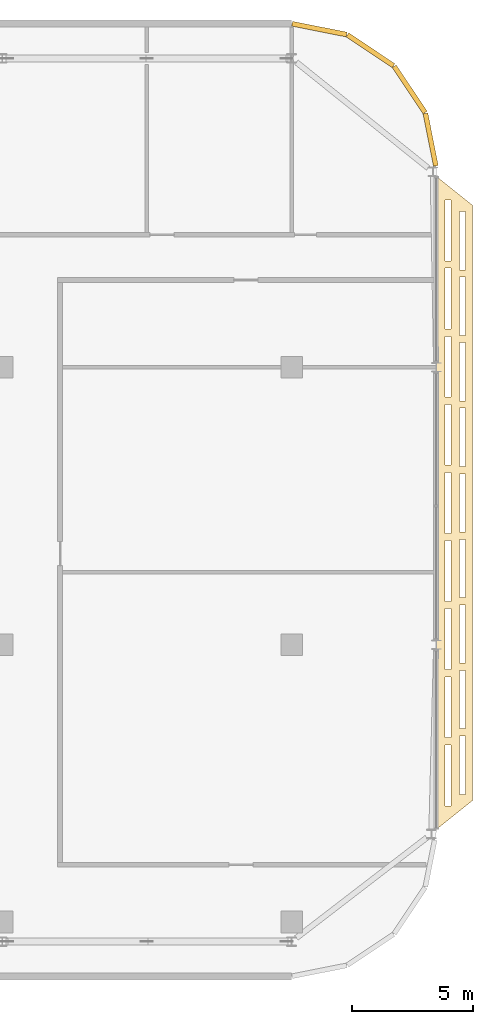
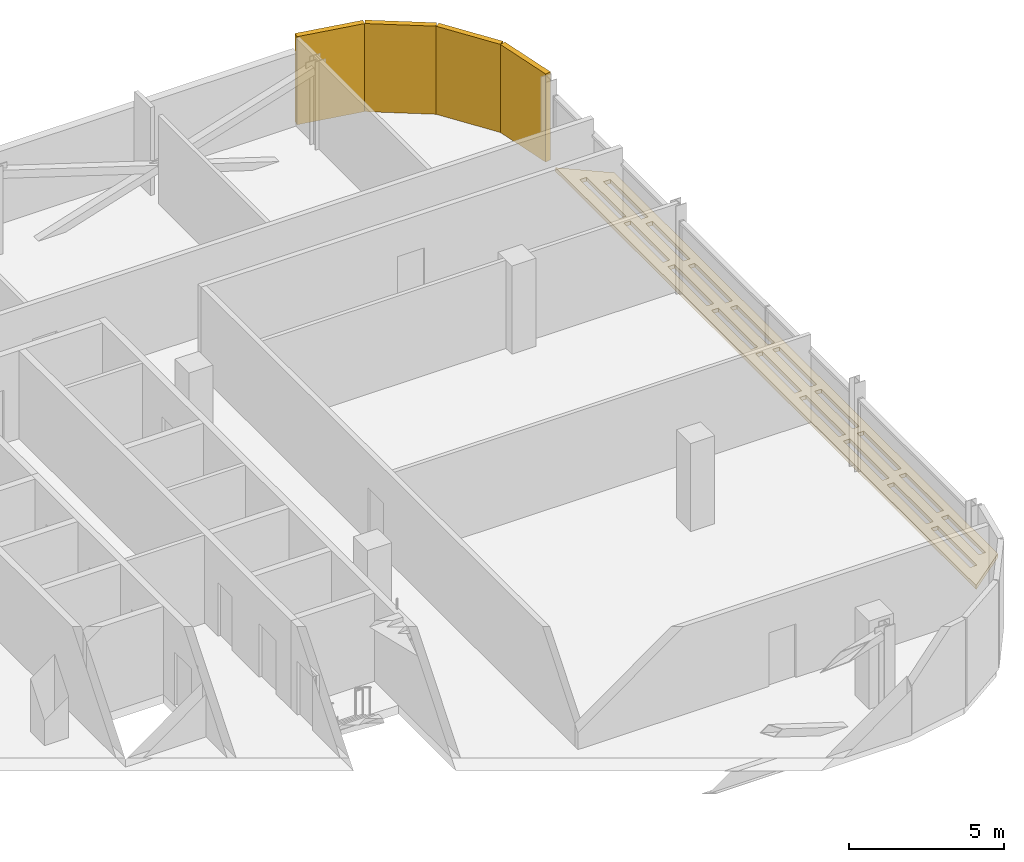
# One storey, part 28 of 28: 5 coverings.
"""IFC4 building model written with IfcOpenShell, lengths in metres."""

import ifcopenshell
import ifcopenshell.guid

model = None  # the IFC model being written
_history = None  # IfcOwnerHistory: only IFC2X3 demands one
_inside = {}  # id of a spatial element -> (the spatial element, [elements in it])
_under = {}  # id of a project, library or spatial element -> (it, [spatial elements below it])
_declared = {}  # id of a project -> (the project, [libraries it declares])
_typed = {}  # id of a type object -> (the type object, [elements of that type])
_made_of = {}  # id of a material, layer set ... -> (it, [elements and type objects made of it])


def new_model(schema):
    """Start an empty IFC model of exactly this schema.

    Asked for "IFC4X3", IfcOpenShell would pick the latest addendum, in which some entities
    have other attributes; the version numbers below select the first issue.
    IFC2X3 requires an IfcOwnerHistory on every rooted entity: one is made here for all.
    """
    global model, _history
    if schema == "IFC4X3":
        model = ifcopenshell.file(schema_version=(4, 3, 0, 0))
    else:
        model = ifcopenshell.file(schema=schema)
    _inside.clear()
    _under.clear()
    _declared.clear()
    _typed.clear()
    _made_of.clear()
    _history = None
    if model.schema == "IFC2X3":
        org = make("IfcOrganization", Name="unknown")
        user = make(
            "IfcPersonAndOrganization",
            ThePerson=make("IfcPerson", FamilyName="unknown"),
            TheOrganization=org,
        )
        app = make(
            "IfcApplication",
            ApplicationDeveloper=org,
            Version="unknown",
            ApplicationFullName="unknown",
            ApplicationIdentifier="unknown",
        )
        _history = make(
            "IfcOwnerHistory",
            OwningUser=user,
            OwningApplication=app,
            ChangeAction="ADDED",
            CreationDate=0,
        )
    return model


def make(cls, **values):
    """One entity of the class cls with the attributes given. An attribute that is None is left unset."""
    return model.create_entity(
        cls, **{name: value for name, value in values.items() if value is not None}
    )


def rooted(cls, **values):
    """An entity with a GlobalId (a new one), such as an element, a storey or a relation."""
    return make(cls, GlobalId=ifcopenshell.guid.new(), OwnerHistory=_history, **values)


def si_unit(unit_type, name, prefix=None):
    """IfcSIUnit, for example si_unit("LENGTHUNIT", "METRE", prefix="MILLI")."""
    return make("IfcSIUnit", UnitType=unit_type, Prefix=prefix, Name=name)


def assignment(units):
    """IfcUnitAssignment: the units of a project."""
    return None if units is None else make("IfcUnitAssignment", Units=units)


def point(xyz):
    """IfcCartesianPoint."""
    return None if xyz is None else make("IfcCartesianPoint", Coordinates=xyz)


def direction(xyz):
    """IfcDirection."""
    return None if xyz is None else make("IfcDirection", DirectionRatios=xyz)


def frame(location, z_axis=None, x_axis=None):
    """IfcAxis2Placement3D, a coordinate frame: its origin and axes. An axis left out is left unset."""
    return make(
        "IfcAxis2Placement3D",
        Location=point(location),
        Axis=direction(z_axis),
        RefDirection=direction(x_axis),
    )


def frame_2d(location, x_axis=None):
    """IfcAxis2Placement2D, a coordinate frame in the plane: its origin and x axis."""
    return make(
        "IfcAxis2Placement2D", Location=point(location), RefDirection=direction(x_axis)
    )


def origin():
    """The frame at (0, 0, 0) with its axes left unset."""
    return frame((0.0, 0.0, 0.0))


def origin_2d():
    """The frame at (0, 0) in the plane with its x axis left unset."""
    return frame_2d((0.0, 0.0))


def place(relative_to, where):
    """IfcLocalPlacement: puts the frame where relative to a parent placement (None: the world)."""
    return make(
        "IfcLocalPlacement", PlacementRelTo=relative_to, RelativePlacement=where
    )


def context(
    kind, dimensions, precision=None, world=None, true_north=None, identifier=None
):
    """IfcGeometricRepresentationContext, for example the 3D "Model" context."""
    return make(
        "IfcGeometricRepresentationContext",
        ContextIdentifier=identifier,
        ContextType=kind,
        CoordinateSpaceDimension=dimensions,
        Precision=precision,
        WorldCoordinateSystem=world,
        TrueNorth=true_north,
    )


def subcontext(parent, identifier, kind, view, scale=None):
    """IfcGeometricRepresentationSubContext, for example "Body" below "Model"."""
    return make(
        "IfcGeometricRepresentationSubContext",
        ContextIdentifier=identifier,
        ContextType=kind,
        ParentContext=parent,
        TargetScale=scale,
        TargetView=view,
    )


def project(units=None, contexts=None):
    """IfcProject with its units and contexts."""
    return rooted(
        "IfcProject",
        Name="project",
        RepresentationContexts=contexts,
        UnitsInContext=assignment(units),
    )


def spatial(cls, under=None, at=None, **own):
    """A site, building, storey or space (cls), placed at a placement, below another one or the project."""
    s = rooted(cls, ObjectPlacement=at, **own)
    if under is not None:
        _under.setdefault(under.id(), (under, []))[1].append(s)
    return s


def polyline(points):
    """IfcPolyline through the points."""
    return make("IfcPolyline", Points=[point(p) for p in points])


def profile(cls, at=None, kind="AREA", **sizes):
    """A parametric profile (cls). Its sizes go by their IFC names, for example OverallWidth=200.0."""
    return make(cls, ProfileType=kind, Position=at, **sizes)


def rectangle(**sizes):
    """IfcRectangleProfileDef."""
    return profile("IfcRectangleProfileDef", **sizes)


def outline(outer, holes=None, kind="AREA"):
    """IfcArbitraryClosedProfileDef: a profile drawn as a closed curve; with holes, ...WithVoids."""
    if holes is None:
        return make("IfcArbitraryClosedProfileDef", ProfileType=kind, OuterCurve=outer)
    return make(
        "IfcArbitraryProfileDefWithVoids",
        ProfileType=kind,
        OuterCurve=outer,
        InnerCurves=holes,
    )


def extrude(swept, where, along, depth):
    """IfcExtrudedAreaSolid: the profile swept, set in the frame where, extruded along a direction by depth."""
    return make(
        "IfcExtrudedAreaSolid",
        SweptArea=swept,
        Position=where,
        ExtrudedDirection=direction(along),
        Depth=depth,
    )


def shape(context_of_items, identifier, shape_type, items):
    """IfcShapeRepresentation: the items that make up one representation, for example the "Body"."""
    return make(
        "IfcShapeRepresentation",
        ContextOfItems=context_of_items,
        RepresentationIdentifier=identifier,
        RepresentationType=shape_type,
        Items=items,
    )


def material(Name=None, Category=None):
    """IfcMaterial."""
    return make("IfcMaterial", Name=Name, Category=Category)


def layer(
    of_material, thickness, ventilated=None, Name=None, Category=None, Priority=None
):
    """IfcMaterialLayer: one layer of a wall or slab, of a material (None: an air gap)."""
    return make(
        "IfcMaterialLayer",
        Material=of_material,
        LayerThickness=thickness,
        IsVentilated=ventilated,
        Name=Name,
        Category=Category,
        Priority=Priority,
    )


def layer_set(layers, Name=None):
    """IfcMaterialLayerSet."""
    return make("IfcMaterialLayerSet", MaterialLayers=layers, LayerSetName=Name)


def made_of(thing, what):
    """Note that an element or type object is made of a material, layer set ...; save() writes the relation."""
    if what is not None:
        _made_of.setdefault(what.id(), (what, []))[1].append(thing)
    return thing


def type_object(cls, material=None, **own):
    """A type object (cls), such as IfcWallType, which elements share."""
    return made_of(rooted(cls, **own), material)


def element(
    cls,
    number,
    at=None,
    inside=None,
    cuts=None,
    type_object=None,
    material=None,
    context=None,
    identifier="Body",
    shape_type=None,
    held_by="IfcProductDefinitionShape",
    body=None,
    shapes=None,
    **own,
):
    """One element of the class cls, such as IfcWall. Its Tag is "e" and its number.

    at: its placement. inside: the storey or other place that contains it. cuts: it is an
    opening in that element (IfcRelVoidsElement). A single representation is given by context,
    identifier, shape_type and body (its items); several are given by shapes. held_by: the class
    of the entity that holds the representations. save() writes the other relations.
    """
    e = rooted(cls, Tag="e%d" % number, ObjectPlacement=at, **own)
    if body is not None:
        shapes = [shape(context, identifier, shape_type, body)]
    if shapes is not None:
        e.Representation = make(held_by, Representations=shapes)
    if inside is not None:
        _inside.setdefault(inside.id(), (inside, []))[1].append(e)
    if cuts is not None:
        rooted(
            "IfcRelVoidsElement", RelatingBuildingElement=cuts, RelatedOpeningElement=e
        )
    if type_object is not None:
        _typed.setdefault(type_object.id(), (type_object, []))[1].append(e)
    return made_of(e, material)


def aggregate(whole, parts):
    """IfcRelAggregates: a whole, such as a stair, and the parts it consists of."""
    return rooted("IfcRelAggregates", RelatingObject=whole, RelatedObjects=parts)


def save(model, path):
    """Write the relations noted so far, then the file.

    IfcRelAggregates (storeys below a building ...), IfcRelContainedInSpatialStructure (elements
    in a storey), IfcRelDefinesByType, IfcRelAssociatesMaterial and IfcRelDeclares: one each for
    every whole, place, type object, material and project.
    """
    for whole, parts in _under.values():
        aggregate(whole, parts)
    for where, things in _inside.values():
        rooted(
            "IfcRelContainedInSpatialStructure",
            RelatedElements=things,
            RelatingStructure=where,
        )
    for kind, things in _typed.values():
        rooted("IfcRelDefinesByType", RelatedObjects=things, RelatingType=kind)
    for what, things in _made_of.values():
        rooted("IfcRelAssociatesMaterial", RelatedObjects=things, RelatingMaterial=what)
    for by, libraries in _declared.values():
        rooted("IfcRelDeclares", RelatingContext=by, RelatedDefinitions=libraries)
    model.write(path)


model = new_model("IFC4")

# Units and contexts
model_context = context("Model", 3, precision=1e-05, world=origin(), true_north=direction((0.0, 1.0)))
body_context = subcontext(model_context, "Body", "Model", "MODEL_VIEW")
ifc_project = project(units=[si_unit("LENGTHUNIT", "METRE"), si_unit("AREAUNIT", "SQUARE_METRE"), si_unit("VOLUMEUNIT", "CUBIC_METRE"), si_unit("PLANEANGLEUNIT", "RADIAN"), si_unit("MASSUNIT", "GRAM", prefix="KILO")], contexts=[model_context])

# Site, building, storey
site_placement = place(None, origin())
site = spatial("IfcSite", under=ifc_project, at=site_placement, CompositionType="ELEMENT")
building_placement = place(site_placement, origin())
building = spatial("IfcBuilding", under=site, at=building_placement, Name="Mahtab Terrace Research Tower", CompositionType="ELEMENT")
storey_placement = place(building_placement, frame((0.0, 0.0, 267.10009765625)))
storey = spatial("IfcBuildingStorey", under=building, at=storey_placement, Name="L65", CompositionType="ELEMENT", Elevation=267.10009765625)

# Coverings
ifc_material_1 = material(Name="Black aluminium cladding panel", Category="aluminium")
ifc_layer_1 = layer(ifc_material_1, 0.199951171875)
ifc_layer_set_1 = layer_set([ifc_layer_1], Name="Black metal corner cladding 200")
covering_type_1 = type_object("IfcCoveringType", Name="Black metal corner cladding 200", PredefinedType="CLADDING", material=ifc_layer_set_1)
for number, where, z_axis, x_axis, name in (
    (1, (46.89306640625, 23.0205078125, 0.0), (0.0, 0.0, 1.0), (-0.555291490808, 0.831655794326, 0.0), "Corner cladding L65 0"),
    (2, (45.26953125, 24.64404296875, 0.0), (0.0, 0.0, 1.0), (-0.831655794326, 0.555291490808, 0.0), "Corner cladding L65 1"),
    (3, (43.14794921875, 25.5224609375, 0.0), (0.0, 0.0, 1.0), (-0.980760981187, 0.195212442692, 0.0), "Corner cladding L65 2"),
):
    element("IfcCovering", number, at=place(storey_placement, frame(where, z_axis=z_axis, x_axis=x_axis)), inside=storey, type_object=covering_type_1, Name=name, PredefinedType="CLADDING", context=body_context, shape_type="SweptSolid", body=[
        extrude(rectangle(XDim=2.30126953125, YDim=0.199951171875, at=origin_2d()), origin(), (0.0, 0.0, 1.0), 3.4599609375),
    ])
covering_1_placement = place(storey_placement, frame((47.76318359375, 20.941162109375, 0.0), z_axis=(0.0, 0.0, 1.0), x_axis=(-0.195212442692, 0.980760981187, 0.0)))
element("IfcCovering", 4, at=covering_1_placement, inside=storey, type_object=covering_type_1, Name="Corner cladding L65 23", PredefinedType="CLADDING", context=body_context, shape_type="SweptSolid", body=[
    extrude(rectangle(XDim=2.21533203125, YDim=0.199951171875, at=origin_2d()), origin(), (0.0, 0.0, 1.0), 3.4599609375),
])
ifc_material_2 = material(Name="Black anodised aluminium", Category="aluminium")
ifc_layer_2 = layer(ifc_material_2, 0.14990234375)
ifc_layer_set_2 = layer_set([ifc_layer_2], Name="Horizontal sunshade band")
covering_type_2 = type_object("IfcCoveringType", Name="Horizontal sunshade band", PredefinedType="CLADDING", material=ifc_layer_set_2)
covering_2_placement = place(storey_placement, frame((0.0, 0.0, -0.150146484375)))
element("IfcCovering", 5, at=covering_2_placement, inside=storey, type_object=covering_type_2, Name="Sunshade band L65 20", PredefinedType="CLADDING", context=body_context, shape_type="SweptSolid", body=[
    extrude(outline(polyline([(48.0, -7.659912109375), (48.0, 19.4169921875), (49.5, 18.217041015625), (49.5, -6.4599609375), (48.0, -7.659912109375)]), holes=[polyline([(48.35009765625, -6.679931640625), (48.35009765625, -4.156005859375), (48.60009765625, -4.156005859375), (48.60009765625, -6.679931640625), (48.35009765625, -6.679931640625)]), polyline([(48.35009765625, -3.85595703125), (48.35009765625, -1.33203125), (48.60009765625, -1.33203125), (48.60009765625, -3.85595703125), (48.35009765625, -3.85595703125)]), polyline([(48.35009765625, -1.031982421875), (48.35009765625, 1.491943359375), (48.60009765625, 1.491943359375), (48.60009765625, -1.031982421875), (48.35009765625, -1.031982421875)]), polyline([(48.35009765625, 1.7919921875), (48.35009765625, 4.31591796875), (48.60009765625, 4.31591796875), (48.60009765625, 1.7919921875), (48.35009765625, 1.7919921875)]), polyline([(48.35009765625, 4.615966796875), (48.35009765625, 7.14111328125), (48.60009765625, 7.14111328125), (48.60009765625, 4.615966796875), (48.35009765625, 4.615966796875)]), polyline([(48.35009765625, 7.44091796875), (48.35009765625, 9.965087890625), (48.60009765625, 9.965087890625), (48.60009765625, 7.44091796875), (48.35009765625, 7.44091796875)]), polyline([(48.35009765625, 10.264892578125), (48.35009765625, 12.7890625), (48.60009765625, 12.7890625), (48.60009765625, 10.264892578125), (48.35009765625, 10.264892578125)]), polyline([(48.35009765625, 13.089111328125), (48.35009765625, 15.613037109375), (48.60009765625, 15.613037109375), (48.60009765625, 13.089111328125), (48.35009765625, 13.089111328125)]), polyline([(48.35009765625, 15.9130859375), (48.35009765625, 18.43701171875), (48.60009765625, 18.43701171875), (48.60009765625, 15.9130859375), (48.35009765625, 15.9130859375)]), polyline([(48.949951171875, -6.199951171875), (48.949951171875, -3.782958984375), (49.199951171875, -3.782958984375), (49.199951171875, -6.199951171875), (48.949951171875, -6.199951171875)]), polyline([(48.949951171875, -3.48291015625), (48.949951171875, -1.06494140625), (49.199951171875, -1.06494140625), (49.199951171875, -3.48291015625), (48.949951171875, -3.48291015625)]), polyline([(48.949951171875, -0.764892578125), (48.949951171875, 1.652099609375), (49.199951171875, 1.652099609375), (49.199951171875, -0.764892578125), (48.949951171875, -0.764892578125)]), polyline([(48.949951171875, 1.951904296875), (48.949951171875, 4.3701171875), (49.199951171875, 4.3701171875), (49.199951171875, 1.951904296875), (48.949951171875, 1.951904296875)]), polyline([(48.949951171875, 4.669921875), (48.949951171875, 7.0869140625), (49.199951171875, 7.0869140625), (49.199951171875, 4.669921875), (48.949951171875, 4.669921875)]), polyline([(48.949951171875, 7.386962890625), (48.949951171875, 9.804931640625), (49.199951171875, 9.804931640625), (49.199951171875, 7.386962890625), (48.949951171875, 7.386962890625)]), polyline([(48.949951171875, 10.10498046875), (48.949951171875, 12.52197265625), (49.199951171875, 12.52197265625), (49.199951171875, 10.10498046875), (48.949951171875, 10.10498046875)]), polyline([(48.949951171875, 12.822021484375), (48.949951171875, 15.239990234375), (49.199951171875, 15.239990234375), (49.199951171875, 12.822021484375), (48.949951171875, 12.822021484375)]), polyline([(48.949951171875, 15.5400390625), (48.949951171875, 17.95703125), (49.199951171875, 17.95703125), (49.199951171875, 15.5400390625), (48.949951171875, 15.5400390625)])]), origin(), (0.0, 0.0, 1.0), 0.150146484375),
])

save(model, "model.ifc")
